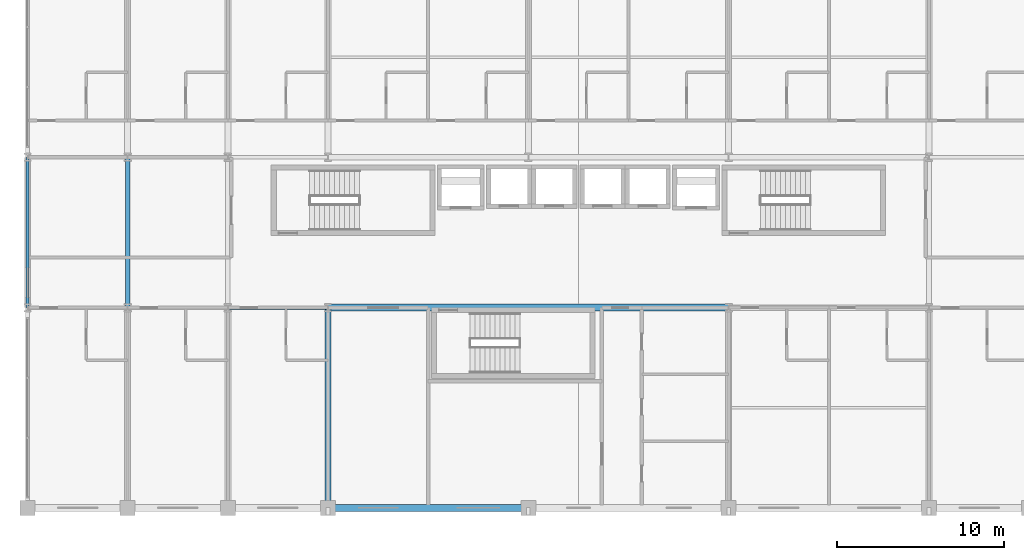
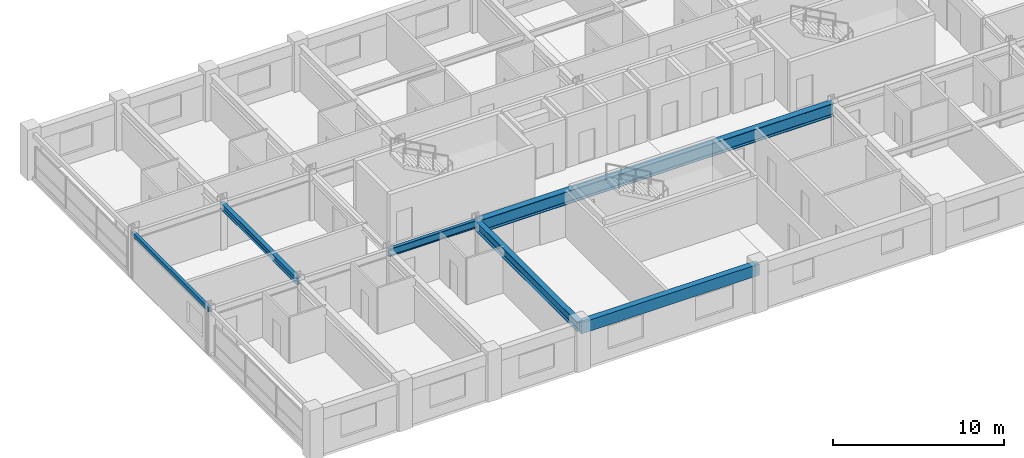
# One storey, part 5 of 22: 6 beams.
"""IFC4 building model written with IfcOpenShell, lengths in metres."""

from ifc_helpers import new_model, si_unit, direction, frame, origin, origin_2d, place, context, subcontext, project, spatial, rectangle, hollow_rectangle, i_section, extrude, material, material_profile, profile_set, type_object, element, save


model = new_model("IFC4")

# Units and contexts
model_context = context("Model", 3, precision=1e-05, world=origin(), true_north=direction((0.0, 1.0)))
body_context = subcontext(model_context, "Body", "Model", "MODEL_VIEW")
ifc_project = project(units=[si_unit("LENGTHUNIT", "METRE"), si_unit("AREAUNIT", "SQUARE_METRE"), si_unit("VOLUMEUNIT", "CUBIC_METRE"), si_unit("PLANEANGLEUNIT", "RADIAN"), si_unit("MASSUNIT", "GRAM", prefix="KILO")], contexts=[model_context])

# Site, building, storey
site_placement = place(None, origin())
site = spatial("IfcSite", under=ifc_project, at=site_placement, CompositionType="ELEMENT")
building_placement = place(site_placement, origin())
building = spatial("IfcBuilding", under=site, at=building_placement, Name="Kaldorvane Square Convention Centre", CompositionType="ELEMENT")
storey_placement = place(building_placement, frame((0.0, 0.0, 34.80000305175781)))
storey = spatial("IfcBuildingStorey", under=building, at=storey_placement, Name="L07", CompositionType="ELEMENT", Elevation=34.80000305175781)

# Beams
ifc_material_1 = material(Name="Steel ASTM A992 Gr. 50", Category="steel")
ifc_material_profile_1 = material_profile(ifc_material_1, i_section(OverallWidth=0.213897705078125, OverallDepth=0.549102783203125, WebThickness=0.0146942138671875, FlangeThickness=0.0236053466796875, FilletRadius=0.0126953125, at=origin_2d()), Name="W21X93")
ifc_profile_set_1 = profile_set([ifc_material_profile_1], Name="Steel ASTM A992 Gr. 50")
beam_type_1 = type_object("IfcBeamType", Name="BM-GR-W21X93", PredefinedType="BEAM", material=ifc_profile_set_1)
beam_1_placement = place(storey_placement, frame((36.0, 96.0, 3.0114898681640625), z_axis=(1.0, 0.0, 0.0), x_axis=(0.0, 1.0, 0.0)))
element("IfcBeam", 1, at=beam_1_placement, inside=storey, type_object=beam_type_1, Name="Primary Girder (L07)", PredefinedType="BEAM", context=body_context, shape_type="SweptSolid", body=[
    extrude(i_section(OverallWidth=0.213897705078125, OverallDepth=0.549102783203125, WebThickness=0.0146942138671875, FlangeThickness=0.0236053466796875, FilletRadius=0.0126953125, at=origin_2d()), origin(), (0.0, 0.0, 1.0), 6.0),
])
ifc_material_profile_2 = material_profile(ifc_material_1, i_section(OverallWidth=0.354705810546875, OverallDepth=0.69549560546875, WebThickness=0.0153961181640625, FlangeThickness=0.0251007080078125, FilletRadius=0.01519775390625, at=origin_2d()), Name="W27X146")
ifc_profile_set_2 = profile_set([ifc_material_profile_2], Name="Steel ASTM A992 Gr. 50")
beam_type_2 = type_object("IfcBeamType", Name="BM-GR-W27X146", PredefinedType="BEAM", material=ifc_profile_set_2)
beam_2_placement = place(storey_placement, frame((42.0, 84.0, 2.93829345703125), z_axis=(0.0, 1.0, 0.0), x_axis=(-1.0, 0.0, 0.0)))
element("IfcBeam", 2, at=beam_2_placement, inside=storey, type_object=beam_type_2, Name="Transverse Girder (L07)", PredefinedType="BEAM", context=body_context, shape_type="SweptSolid", body=[
    extrude(i_section(OverallWidth=0.354705810546875, OverallDepth=0.69549560546875, WebThickness=0.0153961181640625, FlangeThickness=0.0251007080078125, FilletRadius=0.01519775390625, at=origin_2d()), origin(), (0.0, 0.0, 1.0), 12.0),
])
ifc_material_profile_3 = material_profile(ifc_material_1, i_section(OverallWidth=0.418304443359375, OverallDepth=0.926605224609375, WebThickness=0.0193023681640625, FlangeThickness=0.0319976806640625, FilletRadius=0.0240936279296875, at=origin_2d()), Name="W36X231")
ifc_profile_set_3 = profile_set([ifc_material_profile_3], Name="Steel ASTM A992 Gr. 50")
beam_type_3 = type_object("IfcBeamType", Name="BM-GR-W36X231", PredefinedType="BEAM", material=ifc_profile_set_3)
beam_3_placement = place(storey_placement, frame((42.0, 96.0, 2.82269287109375), z_axis=(1.0, 0.0, 0.0), x_axis=(0.0, 1.0, 0.0)))
element("IfcBeam", 3, at=beam_3_placement, inside=storey, type_object=beam_type_3, Name="Primary Girder (L07)", PredefinedType="BEAM", context=body_context, shape_type="SweptSolid", body=[
    extrude(i_section(OverallWidth=0.418304443359375, OverallDepth=0.926605224609375, WebThickness=0.0193023681640625, FlangeThickness=0.0319976806640625, FilletRadius=0.0240936279296875, at=origin_2d()), origin(), (0.0, 0.0, 1.0), 24.0),
])
ifc_material_profile_4 = material_profile(ifc_material_1, i_section(OverallWidth=0.2799072265625, OverallDepth=0.462799072265625, WebThickness=0.01080322265625, FlangeThickness=0.017303466796875, FilletRadius=0.01019287109375, at=origin_2d()), Name="W18X76")
ifc_profile_set_4 = profile_set([ifc_material_profile_4], Name="Steel ASTM A992 Gr. 50")
beam_type_4 = type_object("IfcBeamType", Name="BM-JS-W18X76", PredefinedType="JOIST", material=ifc_profile_set_4)
beam_4_placement = place(storey_placement, frame((30.0, 96.0, 3.054595947265625), z_axis=(0.0, 1.0, 0.0), x_axis=(-1.0, 0.0, 0.0)))
element("IfcBeam", 4, at=beam_4_placement, inside=storey, type_object=beam_type_4, Name="Transverse Girder (L07)", PredefinedType="JOIST", context=body_context, shape_type="SweptSolid", body=[
    extrude(i_section(OverallWidth=0.2799072265625, OverallDepth=0.462799072265625, WebThickness=0.01080322265625, FlangeThickness=0.017303466796875, FilletRadius=0.01019287109375, at=origin_2d()), origin(), (0.0, 0.0, 1.0), 9.0),
])
ifc_material_2 = material(Name="Steel ASTM A500 Gr. C", Category="steel")
ifc_material_profile_5 = material_profile(ifc_material_2, hollow_rectangle(XDim=0.2032012939453125, YDim=0.3047943115234375, WallThickness=0.0088958740234375, at=origin_2d()), Name="HSS12X8X3/8")
ifc_profile_set_5 = profile_set([ifc_material_profile_5], Name="Steel ASTM A500 Gr. C")
beam_type_5 = type_object("IfcBeamType", Name="BM-SP-HSS12", PredefinedType="SPANDREL", material=ifc_profile_set_5)
beam_5_placement = place(storey_placement, frame((24.0, 96.0, 3.1335906982421875), z_axis=(0.0, 1.0, 0.0), x_axis=(-1.0, 0.0, 0.0)))
element("IfcBeam", 5, at=beam_5_placement, inside=storey, type_object=beam_type_5, Name="End Spandrel (L07)", PredefinedType="SPANDREL", context=body_context, shape_type="SweptSolid", body=[
    extrude(hollow_rectangle(XDim=0.2032012939453125, YDim=0.3047943115234375, WallThickness=0.0088958740234375, at=origin_2d()), origin(), (0.0, 0.0, 1.0), 9.0),
])
ifc_material_3 = material(Name="Concrete f'c = 42 MPa (Normalweight)", Category="concrete")
ifc_material_profile_6 = material_profile(ifc_material_3, rectangle(XDim=0.399993896484375, YDim=0.8000030517578125, at=origin_2d()), Name="RCSP800X400")
ifc_profile_set_6 = profile_set([ifc_material_profile_6], Name="Concrete f'c = 42 MPa (Normalweight)")
beam_type_6 = type_object("IfcBeamType", Name="BM-SP-RC800", PredefinedType="SPANDREL", material=ifc_profile_set_6)
beam_6_placement = place(storey_placement, frame((42.0, 84.0, 2.8860015869140625), z_axis=(1.0, 0.0, 0.0), x_axis=(0.0, 1.0, 0.0)))
element("IfcBeam", 6, at=beam_6_placement, inside=storey, type_object=beam_type_6, Name="Perimeter Spandrel (L07)", PredefinedType="SPANDREL", context=body_context, shape_type="SweptSolid", body=[
    extrude(rectangle(XDim=0.399993896484375, YDim=0.8000030517578125, at=origin_2d()), origin(), (0.0, 0.0, 1.0), 12.0),
])

save(model, "model.ifc")
